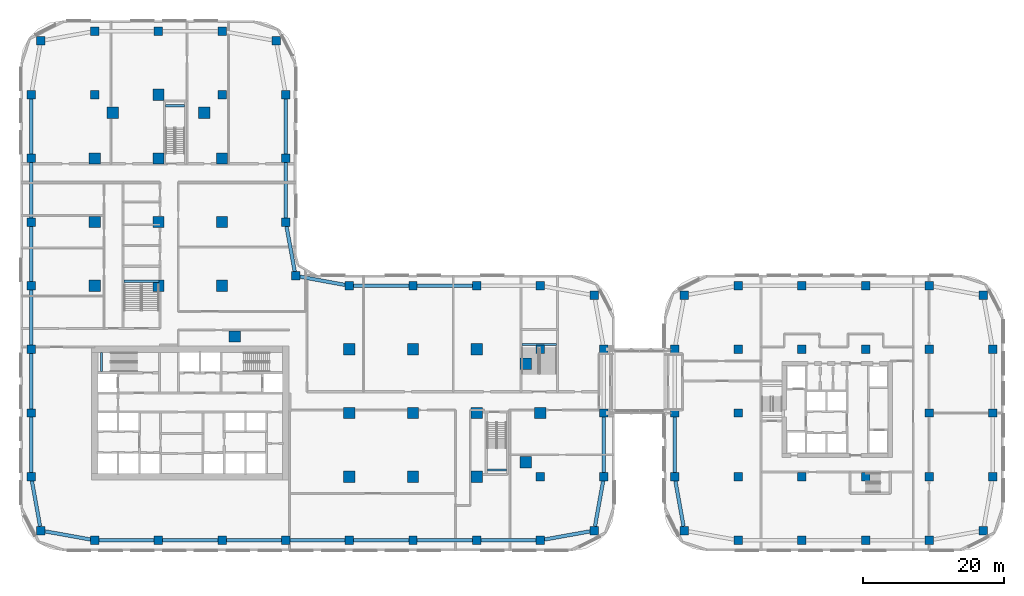
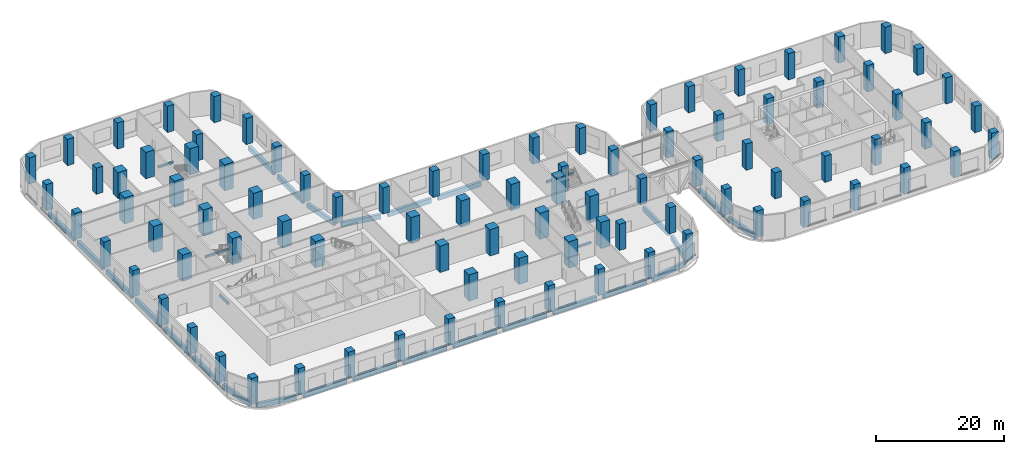
# One storey, part 1 of 35: 91 columns, 31 beams.
"""IFC4 building model written with IfcOpenShell, lengths in metres."""

from ifc_helpers import new_model, si_unit, direction, frame, origin, origin_2d, place, context, subcontext, project, spatial, rectangle, extrude, material, material_profile, profile_set, type_object, element, save


model = new_model("IFC4")

# Units and contexts
model_context = context("Model", 3, precision=1e-05, world=origin(), true_north=direction((0.0, 1.0)))
body_context = subcontext(model_context, "Body", "Model", "MODEL_VIEW")
ifc_project = project(units=[si_unit("LENGTHUNIT", "METRE"), si_unit("AREAUNIT", "SQUARE_METRE"), si_unit("VOLUMEUNIT", "CUBIC_METRE"), si_unit("PLANEANGLEUNIT", "RADIAN"), si_unit("MASSUNIT", "GRAM", prefix="KILO")], contexts=[model_context])

# Site, building, storey
site_placement = place(None, origin())
site = spatial("IfcSite", under=ifc_project, at=site_placement, CompositionType="ELEMENT")
building_placement = place(site_placement, origin())
building = spatial("IfcBuilding", under=site, at=building_placement, Name="Ogive Portal Towers", CompositionType="ELEMENT")
storey_placement = place(building_placement, frame((0.0, 0.0, 23.5)))
storey = spatial("IfcBuildingStorey", under=building, at=storey_placement, Name="L04", CompositionType="ELEMENT", Elevation=23.5)

# Columns
ifc_material_1 = material(Name="Concrete C50/60", Category="concrete")
ifc_material_profile_1 = material_profile(ifc_material_1, rectangle(XDim=1.199951171875, YDim=1.199951171875, at=origin_2d()), Name="RC 1200x1200")
ifc_profile_set_1 = profile_set([ifc_material_profile_1], Name="Concrete C50/60")
column_type_1 = type_object("IfcColumnType", Name="COLUMN RC 1200x1200", PredefinedType="COLUMN", material=ifc_profile_set_1)
for number, where, z_axis, x_axis, name in (
    (1, (31.5, 12.5, 0.0), (0.0, 0.0, 1.0), (1.0, 0.0, 0.0), "Column 1/Z L04"),
    (2, (40.5, 12.5, 0.0), (0.0, 0.0, 1.0), (1.0, 0.0, 0.0), "Column 2/Z L04"),
    (3, (49.5, 12.5, 0.0), (0.0, 0.0, 1.0), (1.0, 0.0, 0.0), "Column 3/Z L04"),
    (4, (58.5, 12.5, 0.0), (0.0, 0.0, 1.0), (1.0, 0.0, 0.0), "Column 4/Z L04"),
    (5, (67.5, 12.5, 0.0), (0.0, 0.0, 1.0), (1.0, 0.0, 0.0), "Column 5/Z L04"),
    (6, (76.5, 12.5, 0.0), (0.0, 0.0, 1.0), (1.0, 0.0, 0.0), "Column 6/Z L04"),
    (7, (85.5, 12.5, 0.0), (0.0, 0.0, 1.0), (1.0, 0.0, 0.0), "Column 7/Z L04"),
    (8, (94.5, 12.5, 0.0), (0.0, 0.0, 1.0), (1.0, 0.0, 0.0), "Column 8/Z L04"),
    (9, (23.8701171875, 13.8701171875, 0.0), (0.0, 0.0, 1.0), (1.0, 0.0, 0.0), "Column L04"),
    (10, (102.1298828125, 13.8701171875, 0.0), (0.0, 0.0, 1.0), (1.0, 0.0, 0.0), "Column L04"),
    (11, (22.5, 21.5, 0.0), (0.0, 0.0, 1.0), (1.0, 0.0, 0.0), "Column 0/A L04"),
    (12, (94.5, 21.5, 0.0), (0.0, 0.0, 1.0), (1.0, 0.0, 0.0), "Column 8/A L04"),
    (13, (103.5, 21.5, 0.0), (0.0, 0.0, 1.0), (1.0, 0.0, 0.0), "Column 9/A L04"),
    (14, (22.5, 30.5, 0.0), (0.0, 0.0, 1.0), (1.0, 0.0, 0.0), "Column 0/B L04"),
    (15, (103.5, 30.5, 0.0), (0.0, 0.0, 1.0), (1.0, 0.0, 0.0), "Column 9/B L04"),
    (16, (22.5, 39.5, 0.0), (0.0, 0.0, 1.0), (1.0, 0.0, 0.0), "Column 0/C L04"),
    (17, (94.5, 39.5, 0.0), (0.0, 0.0, 1.0), (1.0, 0.0, 0.0), "Column 8/C L04"),
    (18, (103.5, 39.5, 0.0), (0.0, 0.0, 1.0), (1.0, 0.0, 0.0), "Column 9/C L04"),
    (19, (102.1298828125, 47.1298828125, 0.0), (0.0, 0.0, 1.0), (1.0, 0.0, 0.0), "Column L04"),
    (20, (22.5, 48.5, 0.0), (0.0, 0.0, 1.0), (1.0, 0.0, 0.0), "Column 0/D L04"),
    (21, (67.5, 48.5, 0.0), (0.0, 0.0, 1.0), (1.0, 0.0, 0.0), "Column 5/D L04"),
    (22, (76.5, 48.5, 0.0), (0.0, 0.0, 1.0), (1.0, 0.0, 0.0), "Column 6/D L04"),
    (23, (85.5, 48.5, 0.0), (0.0, 0.0, 1.0), (1.0, 0.0, 0.0), "Column 7/D L04"),
    (24, (94.5, 48.5, 0.0), (0.0, 0.0, 1.0), (1.0, 0.0, 0.0), "Column 8/D L04"),
    (25, (59.889892578125, 49.889892578125, 0.0), (0.0, 0.0, 1.0), (1.0, 0.0, 0.0), "Column L04"),
    (26, (22.5, 57.5, 0.0), (0.0, 0.0, 1.0), (1.0, 0.0, 0.0), "Column 0/E L04"),
    (27, (58.5, 57.5, 0.0), (0.0, 0.0, 1.0), (1.0, 0.0, 0.0), "Column 4/E L04"),
    (28, (22.5, 66.5, 0.0), (0.0, 0.0, 1.0), (1.0, 0.0, 0.0), "Column 0/F L04"),
    (29, (58.5, 66.5, 0.0), (0.0, 0.0, 1.0), (1.0, 0.0, 0.0), "Column 4/F L04"),
    (30, (22.5, 75.5, 0.0), (0.0, 0.0, 1.0), (1.0, 0.0, 0.0), "Column 0/G L04"),
    (31, (31.5, 75.5, 0.0), (0.0, 0.0, 1.0), (1.0, 0.0, 0.0), "Column 1/G L04"),
    (32, (49.5, 75.5, 0.0), (0.0, 0.0, 1.0), (1.0, 0.0, 0.0), "Column 3/G L04"),
    (33, (58.5, 75.5, 0.0), (0.0, 0.0, 1.0), (1.0, 0.0, 0.0), "Column 4/G L04"),
    (34, (23.8701171875, 83.1298828125, 0.0), (0.0, 0.0, 1.0), (1.0, 0.0, 0.0), "Column L04"),
    (35, (57.1298828125, 83.1298828125, 0.0), (0.0, 0.0, 1.0), (1.0, 0.0, 0.0), "Column L04"),
    (36, (31.5, 84.5, 0.0), (0.0, 0.0, 1.0), (1.0, 0.0, 0.0), "Column 1/H1 L04"),
    (37, (40.5, 84.5, 0.0), (0.0, 0.0, 1.0), (1.0, 0.0, 0.0), "Column 2/H1 L04"),
    (38, (49.5, 84.5, 0.0), (0.0, 0.0, 1.0), (1.0, 0.0, 0.0), "Column 3/H1 L04"),
    (39, (122.5, 12.5, 0.0), (0.0, 0.0, 1.0), (1.0, 0.0, 0.0), "Column P2/Q1 L04"),
    (40, (131.5, 12.5, 0.0), (0.0, 0.0, 1.0), (1.0, 0.0, 0.0), "Column P3/Q1 L04"),
    (41, (140.5, 12.5, 0.0), (0.0, 0.0, 1.0), (1.0, 0.0, 0.0), "Column P4/Q1 L04"),
    (42, (149.5, 12.5, 0.0), (0.0, 0.0, 1.0), (1.0, 0.0, 0.0), "Column P5/Q1 L04"),
    (43, (114.8701171875, 13.8701171875, 0.0), (0.0, 0.0, 1.0), (1.0, 0.0, 0.0), "Column L04"),
    (44, (157.1298828125, 13.8701171875, 0.0), (0.0, 0.0, 1.0), (1.0, 0.0, 0.0), "Column L04"),
    (45, (113.5, 21.5, 0.0), (0.0, 0.0, 1.0), (1.0, 0.0, 0.0), "Column P1/Q2 L04"),
    (46, (122.5, 21.5, 0.0), (0.0, 0.0, 1.0), (1.0, 0.0, 0.0), "Column P2/Q2 L04"),
    (47, (131.5, 21.5, 0.0), (0.0, 0.0, 1.0), (1.0, 0.0, 0.0), "Column P3/Q2 L04"),
    (48, (140.5, 21.5, 0.0), (0.0, 0.0, 1.0), (1.0, 0.0, 0.0), "Column P4/Q2 L04"),
    (49, (149.5, 21.5, 0.0), (0.0, 0.0, 1.0), (1.0, 0.0, 0.0), "Column P5/Q2 L04"),
    (50, (158.5, 21.5, 0.0), (0.0, 0.0, 1.0), (1.0, 0.0, 0.0), "Column P6/Q2 L04"),
    (51, (113.5, 30.5, 0.0), (0.0, 0.0, 1.0), (1.0, 0.0, 0.0), "Column P1/Q3 L04"),
    (52, (122.5, 30.5, 0.0), (0.0, 0.0, 1.0), (1.0, 0.0, 0.0), "Column P2/Q3 L04"),
    (53, (149.5, 30.5, 0.0), (0.0, 0.0, 1.0), (1.0, 0.0, 0.0), "Column P5/Q3 L04"),
    (54, (158.5, 30.5, 0.0), (0.0, 0.0, 1.0), (1.0, 0.0, 0.0), "Column P6/Q3 L04"),
    (55, (113.5, 39.5, 0.0), (0.0, 0.0, 1.0), (1.0, 0.0, 0.0), "Column P1/Q4 L04"),
    (56, (122.5, 39.5, 0.0), (0.0, 0.0, 1.0), (1.0, 0.0, 0.0), "Column P2/Q4 L04"),
    (57, (131.5, 39.5, 0.0), (0.0, 0.0, 1.0), (1.0, 0.0, 0.0), "Column P3/Q4 L04"),
    (58, (140.5, 39.5, 0.0), (0.0, 0.0, 1.0), (1.0, 0.0, 0.0), "Column P4/Q4 L04"),
    (59, (149.5, 39.5, 0.0), (0.0, 0.0, 1.0), (1.0, 0.0, 0.0), "Column P5/Q4 L04"),
    (60, (158.5, 39.5, 0.0), (0.0, 0.0, 1.0), (1.0, 0.0, 0.0), "Column P6/Q4 L04"),
    (61, (114.8701171875, 47.1298828125, 0.0), (0.0, 0.0, 1.0), (1.0, 0.0, 0.0), "Column L04"),
    (62, (157.1298828125, 47.1298828125, 0.0), (0.0, 0.0, 1.0), (1.0, 0.0, 0.0), "Column L04"),
    (63, (122.5, 48.5, 0.0), (0.0, 0.0, 1.0), (1.0, 0.0, 0.0), "Column P2/Q5 L04"),
    (64, (131.5, 48.5, 0.0), (0.0, 0.0, 1.0), (1.0, 0.0, 0.0), "Column P3/Q5 L04"),
    (65, (140.5, 48.5, 0.0), (0.0, 0.0, 1.0), (1.0, 0.0, 0.0), "Column P4/Q5 L04"),
    (66, (149.5, 48.5, 0.0), (0.0, 0.0, 1.0), (1.0, 0.0, 0.0), "Column P5/Q5 L04"),
):
    element("IfcColumn", number, at=place(storey_placement, frame(where, z_axis=z_axis, x_axis=x_axis)), inside=storey, type_object=column_type_1, Name=name, PredefinedType="COLUMN", context=body_context, shape_type="SweptSolid", body=[
        extrude(rectangle(XDim=1.199951171875, YDim=1.199951171875, at=origin_2d()), origin(), (0.0, 0.0, 1.0), 5.0),
    ])
ifc_material_2 = material(Name="Concrete C60/75", Category="concrete")
ifc_material_profile_2 = material_profile(ifc_material_2, rectangle(XDim=1.60009765625, YDim=1.60009765625, at=origin_2d()), Name="RC 1600x1600")
ifc_profile_set_2 = profile_set([ifc_material_profile_2], Name="Concrete C60/75")
column_type_2 = type_object("IfcColumnType", Name="COLUMN RC 1600x1600", PredefinedType="COLUMN", material=ifc_profile_set_2)
for number, where, z_axis, x_axis, name in (
    (67, (67.5, 21.5, 0.0), (0.0, 0.0, 1.0), (1.0, 0.0, 0.0), "Column 5/A L04"),
    (68, (76.5, 21.5, 0.0), (0.0, 0.0, 1.0), (1.0, 0.0, 0.0), "Column 6/A L04"),
    (69, (85.5, 21.5, 0.0), (0.0, 0.0, 1.0), (1.0, 0.0, 0.0), "Column 7/A L04"),
    (70, (67.5, 30.5, 0.0), (0.0, 0.0, 1.0), (1.0, 0.0, 0.0), "Column 5/B L04"),
    (71, (76.5, 30.5, 0.0), (0.0, 0.0, 1.0), (1.0, 0.0, 0.0), "Column 6/B L04"),
    (72, (85.5, 30.5, 0.0), (0.0, 0.0, 1.0), (1.0, 0.0, 0.0), "Column 7/B L04"),
    (73, (94.5, 30.5, 0.0), (0.0, 0.0, 1.0), (1.0, 0.0, 0.0), "Column 8/B L04"),
    (74, (67.5, 39.5, 0.0), (0.0, 0.0, 1.0), (1.0, 0.0, 0.0), "Column 5/C L04"),
    (75, (76.5, 39.5, 0.0), (0.0, 0.0, 1.0), (1.0, 0.0, 0.0), "Column 6/C L04"),
    (76, (85.5, 39.5, 0.0), (0.0, 0.0, 1.0), (1.0, 0.0, 0.0), "Column 7/C L04"),
    (77, (31.5, 48.5, 0.0), (0.0, 0.0, 1.0), (1.0, 0.0, 0.0), "Column 1/D L04"),
    (78, (40.5, 48.5, 0.0), (0.0, 0.0, 1.0), (1.0, 0.0, 0.0), "Column 2/D L04"),
    (79, (49.5, 48.5, 0.0), (0.0, 0.0, 1.0), (1.0, 0.0, 0.0), "Column 3/D L04"),
    (80, (31.5, 57.5, 0.0), (0.0, 0.0, 1.0), (1.0, 0.0, 0.0), "Column 1/E L04"),
    (81, (40.5, 57.5, 0.0), (0.0, 0.0, 1.0), (1.0, 0.0, 0.0), "Column 2/E L04"),
    (82, (49.5, 57.5, 0.0), (0.0, 0.0, 1.0), (1.0, 0.0, 0.0), "Column 3/E L04"),
    (83, (31.5, 66.5, 0.0), (0.0, 0.0, 1.0), (1.0, 0.0, 0.0), "Column 1/F L04"),
    (84, (40.5, 66.5, 0.0), (0.0, 0.0, 1.0), (1.0, 0.0, 0.0), "Column 2/F L04"),
    (85, (49.5, 66.5, 0.0), (0.0, 0.0, 1.0), (1.0, 0.0, 0.0), "Column 3/F L04"),
    (86, (40.5, 75.5, 0.0), (0.0, 0.0, 1.0), (1.0, 0.0, 0.0), "Column 2/G L04"),
    (87, (34.030029296875, 72.969970703125, 0.0), (0.0, 0.0, 1.0), (1.0, 0.0, 0.0), "Column L04"),
    (88, (46.969970703125, 72.969970703125, 0.0), (0.0, 0.0, 1.0), (1.0, 0.0, 0.0), "Column L04"),
    (89, (51.31005859375, 41.31005859375, 0.0), (0.0, 0.0, 1.0), (1.0, 0.0, 0.0), "Column L04"),
    (90, (92.449951171875, 23.550048828125, 0.0), (0.0, 0.0, 1.0), (1.0, 0.0, 0.0), "Column L04"),
    (91, (92.449951171875, 37.449951171875, 0.0), (0.0, 0.0, 1.0), (1.0, 0.0, 0.0), "Column L04"),
):
    element("IfcColumn", number, at=place(storey_placement, frame(where, z_axis=z_axis, x_axis=x_axis)), inside=storey, type_object=column_type_2, Name=name, PredefinedType="COLUMN", context=body_context, shape_type="SweptSolid", body=[
        extrude(rectangle(XDim=1.60009765625, YDim=1.60009765625, at=origin_2d()), origin(), (0.0, 0.0, 1.0), 5.0),
    ])

# Beams
ifc_material_3 = material(Name="Concrete C40/50", Category="concrete")
ifc_material_profile_3 = material_profile(ifc_material_3, rectangle(XDim=0.300048828125, YDim=0.39990234375, at=origin_2d()), Name="RC 300x400")
ifc_profile_set_3 = profile_set([ifc_material_profile_3], Name="Concrete C40/50")
beam_type_1 = type_object("IfcBeamType", Name="BEAM RC 300x400", PredefinedType="BEAM", material=ifc_profile_set_3)
for number, where, z_axis, x_axis, name in (
    (92, (32.449951171875, 36.35009765625, 2.10009765625), (0.0, 1.0, 0.0), (-1.0, 0.0, 0.0), "Landing beam L04"),
    (93, (41.5, 73.949951171875, 2.10009765625), (1.0, 0.0, 0.0), (0.0, 1.0, 0.0), "Landing beam L04"),
    (94, (87.0, 22.449951171875, 2.10009765625), (1.0, 0.0, 0.0), (0.0, 1.0, 0.0), "Landing beam L04"),
):
    element("IfcBeam", number, at=place(storey_placement, frame(where, z_axis=z_axis, x_axis=x_axis)), inside=storey, type_object=beam_type_1, Name=name, PredefinedType="BEAM", context=body_context, shape_type="SweptSolid", body=[
        extrude(rectangle(XDim=0.300048828125, YDim=0.39990234375, at=origin_2d()), origin(), (0.0, 0.0, 1.0), 2.699951171875),
    ])
for number, where, z_axis, x_axis, name in (
    (95, (91.89990234375, 40.18994140625, 2.10009765625), (1.0, 0.0, 0.0), (0.0, 1.0, 0.0), "Landing beam L04"),
    (96, (35.64990234375, 49.139892578125, 2.10009765625), (1.0, 0.0, 0.0), (0.0, 1.0, 0.0), "Landing beam L04"),
):
    element("IfcBeam", number, at=place(storey_placement, frame(where, z_axis=z_axis, x_axis=x_axis)), inside=storey, type_object=beam_type_1, Name=name, PredefinedType="BEAM", context=body_context, shape_type="SweptSolid", body=[
        extrude(rectangle(XDim=0.300048828125, YDim=0.39990234375, at=origin_2d()), origin(), (0.0, 0.0, 1.0), 4.900146484375),
    ])
ifc_material_profile_4 = material_profile(ifc_material_1, rectangle(XDim=0.5, YDim=0.89990234375, at=origin_2d()), Name="RC 500x900")
ifc_profile_set_4 = profile_set([ifc_material_profile_4], Name="Concrete C50/60")
beam_type_2 = type_object("IfcBeamType", Name="PODIUM GIRDER RC 500x900", PredefinedType="BEAM", material=ifc_profile_set_4)
beam_1_placement = place(storey_placement, frame((24.469970703125, 13.76220703125, -0.75), z_axis=(0.984259207685, -0.176730903032, 0.0), x_axis=(0.176730903032, 0.984259207685, 0.0)))
element("IfcBeam", 97, at=beam_1_placement, inside=storey, type_object=beam_type_2, Name="Spandrel beam L04", PredefinedType="BEAM", context=body_context, shape_type="SweptSolid", body=[
    extrude(rectangle(XDim=0.5, YDim=0.89990234375, at=origin_2d()), origin(), (0.0, 0.0, 1.0), 6.53271484375),
])
for number, where, z_axis, x_axis, name in (
    (98, (32.10009765625, 12.5, -0.75), (1.0, 0.0, 0.0), (0.0, 1.0, 0.0), "Spandrel beam L04"),
    (99, (41.10009765625, 12.5, -0.75), (1.0, 0.0, 0.0), (0.0, 1.0, 0.0), "Spandrel beam L04"),
    (100, (50.10009765625, 12.5, -0.75), (1.0, 0.0, 0.0), (0.0, 1.0, 0.0), "Spandrel beam L04"),
    (101, (59.10009765625, 12.5, -0.75), (1.0, 0.0, 0.0), (0.0, 1.0, 0.0), "Spandrel beam L04"),
    (102, (68.10009765625, 12.5, -0.75), (1.0, 0.0, 0.0), (0.0, 1.0, 0.0), "Spandrel beam L04"),
    (103, (77.10009765625, 12.5, -0.75), (1.0, 0.0, 0.0), (0.0, 1.0, 0.0), "Spandrel beam L04"),
    (104, (86.10009765625, 12.5, -0.75), (1.0, 0.0, 0.0), (0.0, 1.0, 0.0), "Spandrel beam L04"),
):
    element("IfcBeam", number, at=place(storey_placement, frame(where, z_axis=z_axis, x_axis=x_axis)), inside=storey, type_object=beam_type_2, Name=name, PredefinedType="BEAM", context=body_context, shape_type="SweptSolid", body=[
        extrude(rectangle(XDim=0.5, YDim=0.89990234375, at=origin_2d()), origin(), (0.0, 0.0, 1.0), 7.7998046875),
    ])
for number, where, z_axis, x_axis, name in (
    (105, (95.10009765625, 12.607666015625, -0.75), (0.984259207685, 0.176730903032, 0.0), (-0.176730903032, 0.984259207685, 0.0), "Spandrel beam L04"),
    (106, (102.23779296875, 14.469970703125, -0.75), (0.176730903032, 0.984259207685, 0.0), (-0.984259207685, 0.176730903032, 0.0), "Spandrel beam L04"),
):
    element("IfcBeam", number, at=place(storey_placement, frame(where, z_axis=z_axis, x_axis=x_axis)), inside=storey, type_object=beam_type_2, Name=name, PredefinedType="BEAM", context=body_context, shape_type="SweptSolid", body=[
        extrude(rectangle(XDim=0.5, YDim=0.89990234375, at=origin_2d()), origin(), (0.0, 0.0, 1.0), 6.53271484375),
    ])
for number, where, z_axis, x_axis, name in (
    (107, (103.5, 22.10009765625, -0.75), (0.0, 1.0, 0.0), (-1.0, 0.0, 0.0), "Spandrel beam L04"),
    (108, (84.89990234375, 48.5, -0.75), (-1.0, 0.0, 0.0), (0.0, -1.0, 0.0), "Spandrel beam L04"),
    (109, (75.89990234375, 48.5, -0.75), (-1.0, 0.0, 0.0), (0.0, -1.0, 0.0), "Spandrel beam L04"),
):
    element("IfcBeam", number, at=place(storey_placement, frame(where, z_axis=z_axis, x_axis=x_axis)), inside=storey, type_object=beam_type_2, Name=name, PredefinedType="BEAM", context=body_context, shape_type="SweptSolid", body=[
        extrude(rectangle(XDim=0.5, YDim=0.89990234375, at=origin_2d()), origin(), (0.0, 0.0, 1.0), 7.7998046875),
    ])
for number, where, z_axis, x_axis, name in (
    (110, (66.89990234375, 48.609619140625, -0.75), (-0.983722101747, 0.179696484478, 0.0), (-0.179696484478, -0.983722101747, 0.0), "Spandrel beam L04"),
    (111, (59.780517578125, 50.489990234375, -0.75), (-0.179696484478, 0.983722101747, 0.0), (-0.983722101747, -0.179696484478, 0.0), "Spandrel beam L04"),
):
    element("IfcBeam", number, at=place(storey_placement, frame(where, z_axis=z_axis, x_axis=x_axis)), inside=storey, type_object=beam_type_2, Name=name, PredefinedType="BEAM", context=body_context, shape_type="SweptSolid", body=[
        extrude(rectangle(XDim=0.5, YDim=0.89990234375, at=origin_2d()), origin(), (0.0, 0.0, 1.0), 6.515869140625),
    ])
for number, where, z_axis, x_axis, name in (
    (112, (58.5, 58.10009765625, -0.75), (0.0, 1.0, 0.0), (-1.0, 0.0, 0.0), "Spandrel beam L04"),
    (113, (58.5, 67.10009765625, -0.75), (0.0, 1.0, 0.0), (-1.0, 0.0, 0.0), "Spandrel beam L04"),
    (114, (22.5, 74.89990234375, -0.75), (0.0, -1.0, 0.0), (1.0, 0.0, 0.0), "Spandrel beam L04"),
    (115, (22.5, 65.89990234375, -0.75), (0.0, -1.0, 0.0), (1.0, 0.0, 0.0), "Spandrel beam L04"),
    (116, (22.5, 56.89990234375, -0.75), (0.0, -1.0, 0.0), (1.0, 0.0, 0.0), "Spandrel beam L04"),
    (117, (22.5, 47.89990234375, -0.75), (0.0, -1.0, 0.0), (1.0, 0.0, 0.0), "Spandrel beam L04"),
    (118, (22.5, 38.89990234375, -0.75), (0.0, -1.0, 0.0), (1.0, 0.0, 0.0), "Spandrel beam L04"),
    (119, (22.5, 29.89990234375, -0.75), (0.0, -1.0, 0.0), (1.0, 0.0, 0.0), "Spandrel beam L04"),
):
    element("IfcBeam", number, at=place(storey_placement, frame(where, z_axis=z_axis, x_axis=x_axis)), inside=storey, type_object=beam_type_2, Name=name, PredefinedType="BEAM", context=body_context, shape_type="SweptSolid", body=[
        extrude(rectangle(XDim=0.5, YDim=0.89990234375, at=origin_2d()), origin(), (0.0, 0.0, 1.0), 7.7998046875),
    ])
beam_2_placement = place(storey_placement, frame((22.607666015625, 20.89990234375, -0.75), z_axis=(0.176730903032, -0.984259207685, 0.0), x_axis=(0.984259207685, 0.176730903032, 0.0)))
element("IfcBeam", 120, at=beam_2_placement, inside=storey, type_object=beam_type_2, Name="Spandrel beam L04", PredefinedType="BEAM", context=body_context, shape_type="SweptSolid", body=[
    extrude(rectangle(XDim=0.5, YDim=0.89990234375, at=origin_2d()), origin(), (0.0, 0.0, 1.0), 6.53271484375),
])
beam_3_placement = place(storey_placement, frame((113.5, 29.89990234375, -0.75), z_axis=(0.0, -1.0, 0.0), x_axis=(1.0, 0.0, 0.0)))
element("IfcBeam", 121, at=beam_3_placement, inside=storey, type_object=beam_type_2, Name="Spandrel beam L04", PredefinedType="BEAM", context=body_context, shape_type="SweptSolid", body=[
    extrude(rectangle(XDim=0.5, YDim=0.89990234375, at=origin_2d()), origin(), (0.0, 0.0, 1.0), 7.7998046875),
])
beam_4_placement = place(storey_placement, frame((113.607666015625, 20.89990234375, -0.75), z_axis=(0.176730903032, -0.984259207685, 0.0), x_axis=(0.984259207685, 0.176730903032, 0.0)))
element("IfcBeam", 122, at=beam_4_placement, inside=storey, type_object=beam_type_2, Name="Spandrel beam L04", PredefinedType="BEAM", context=body_context, shape_type="SweptSolid", body=[
    extrude(rectangle(XDim=0.5, YDim=0.89990234375, at=origin_2d()), origin(), (0.0, 0.0, 1.0), 6.53271484375),
])

save(model, "model.ifc")
